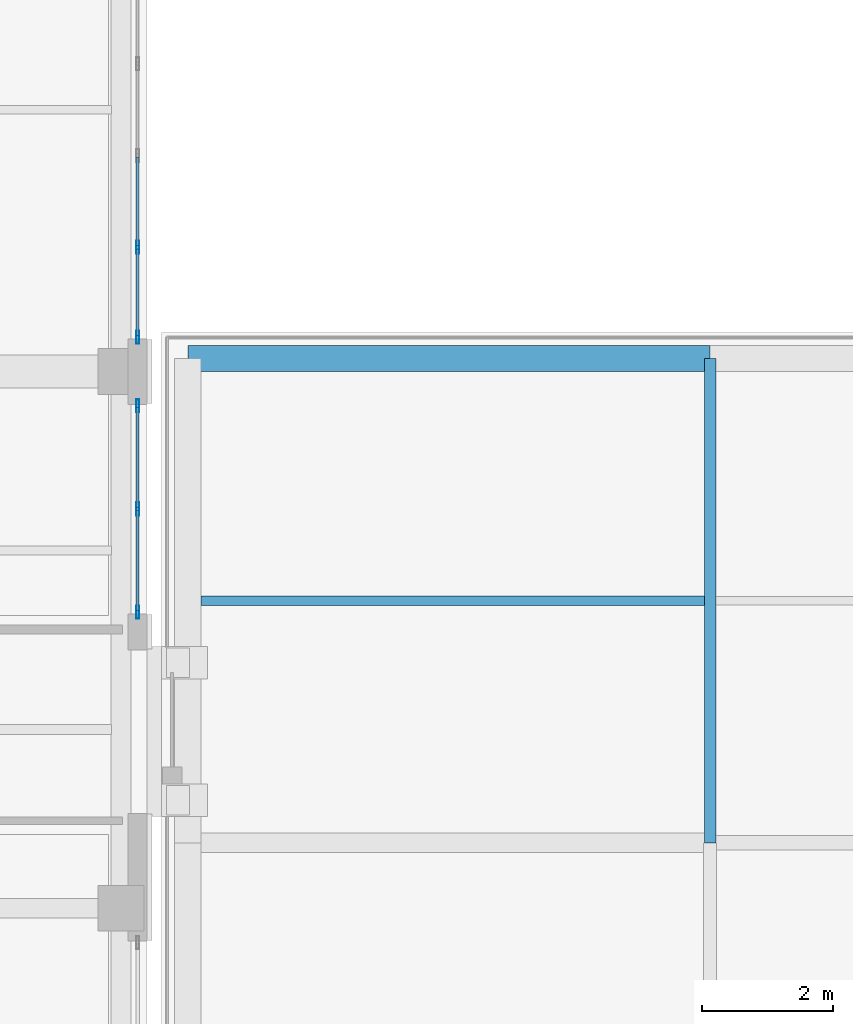
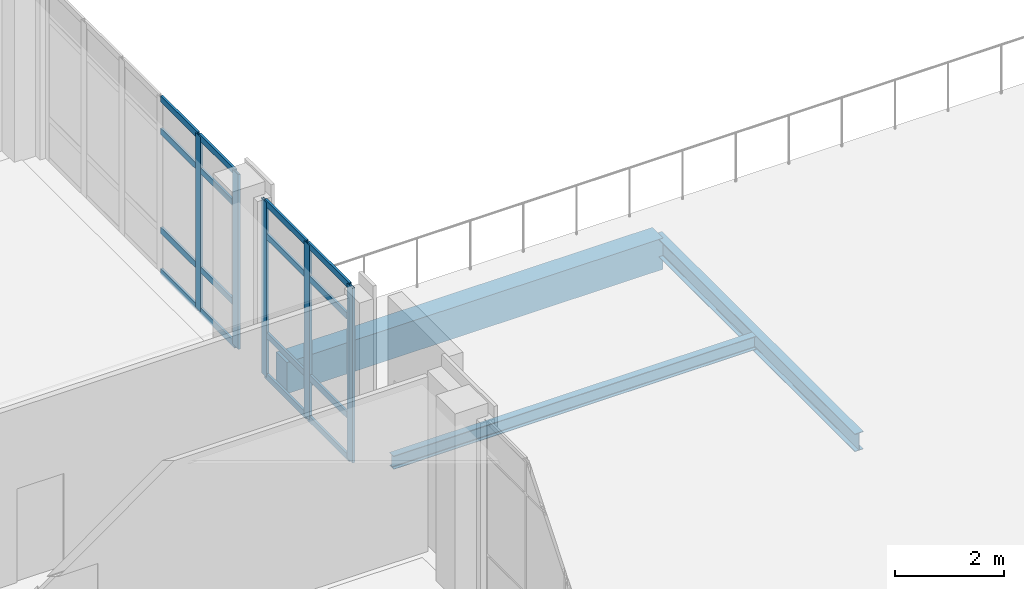
# One storey, part 51 of 165: 21 members, 3 beams, 2 elements without a shape of their own.
"""IFC4 building model written with IfcOpenShell, lengths in metres."""

from ifc_helpers import new_model, si_unit, direction, frame, origin, origin_2d, place, context, subcontext, project, spatial, rectangle, hollow_rectangle, i_section, extrude, material, layer, layer_set, material_profile, profile_set, type_object, element, aggregate, save


model = new_model("IFC4")

# Units and contexts
model_context = context("Model", 3, precision=1e-05, world=origin(), true_north=direction((0.0, 1.0)))
body_context = subcontext(model_context, "Body", "Model", "MODEL_VIEW")
ifc_project = project(units=[si_unit("LENGTHUNIT", "METRE"), si_unit("AREAUNIT", "SQUARE_METRE"), si_unit("VOLUMEUNIT", "CUBIC_METRE"), si_unit("PLANEANGLEUNIT", "RADIAN"), si_unit("MASSUNIT", "GRAM", prefix="KILO")], contexts=[model_context])

# Site, building, storey
site_placement = place(None, origin())
site = spatial("IfcSite", under=ifc_project, at=site_placement, CompositionType="ELEMENT")
building_placement = place(site_placement, origin())
building = spatial("IfcBuilding", under=site, at=building_placement, Name="Qalavern Law Courts", CompositionType="ELEMENT")
storey_placement = place(building_placement, frame((0.0, 0.0, 14.39990234375)))
storey = spatial("IfcBuildingStorey", under=building, at=storey_placement, Name="L03", CompositionType="ELEMENT", Elevation=14.39990234375)

# Curtain wall, members
ifc_material_1 = material(Name="Anodised aluminium and insulated glazing", Category="aluminium")
ifc_layer = layer(ifc_material_1, 0.18505859375)
ifc_layer_set = layer_set([ifc_layer], Name="Anodised aluminium and insulated glazing")
curtain_wall_type = type_object("IfcCurtainWallType", Name="ENV-CW-HALL", PredefinedType="USERDEFINED", material=ifc_layer_set)
curtain_wall_1_placement = place(storey_placement, origin())
curtain_wall_1 = element("IfcCurtainWall", 1, at=curtain_wall_1_placement, inside=storey, type_object=curtain_wall_type, Name="V2 unitised curtain wall L03 east 1", ObjectType="UNITISED CURTAIN WALL", PredefinedType="USERDEFINED")
ifc_material_2 = material(Name="Anodised aluminium", Category="aluminium")
ifc_material_profile_1 = material_profile(ifc_material_2, hollow_rectangle(XDim=0.048095703125, YDim=0.199951171875, WallThickness=0.00439453125, at=origin_2d()), Name="ALU MULLION 48x200")
ifc_profile_set_1 = profile_set([ifc_material_profile_1], Name="Anodised aluminium")
member_type_1 = type_object("IfcMemberType", Name="ENV-CWM-48x200", PredefinedType="MULLION", material=ifc_profile_set_1)
member_1_placement = place(storey_placement, frame((101.052490234375, 18.323974609375, 0.0), z_axis=(0.0, 0.0, 1.0), x_axis=(-1.0, 0.0, 0.0)))
member_1 = element("IfcMember", 2, at=member_1_placement, type_object=member_type_1, Name="CW-02 mullion 1", PredefinedType="MULLION", context=body_context, shape_type="SweptSolid", body=[
    extrude(hollow_rectangle(XDim=0.048095703125, YDim=0.199951171875, WallThickness=0.00439453125, at=origin_2d()), origin(), (0.0, 0.0, 1.0), 3.920166015625),
])
member_2_placement = place(storey_placement, frame((101.052490234375, 19.89990234375, 0.0), z_axis=(0.0, 0.0, 1.0), x_axis=(-1.0, 0.0, 0.0)))
member_2 = element("IfcMember", 3, at=member_2_placement, type_object=member_type_1, Name="CW-02 mullion 2", PredefinedType="MULLION", context=body_context, shape_type="SweptSolid", body=[
    extrude(hollow_rectangle(XDim=0.048095703125, YDim=0.199951171875, WallThickness=0.00439453125, at=origin_2d()), origin(), (0.0, 0.0, 1.0), 3.920166015625),
])
member_3_placement = place(storey_placement, frame((101.052490234375, 21.47607421875, 0.0), z_axis=(0.0, 0.0, 1.0), x_axis=(-1.0, 0.0, 0.0)))
member_3 = element("IfcMember", 4, at=member_3_placement, type_object=member_type_1, Name="CW-02 mullion 3", PredefinedType="MULLION", context=body_context, shape_type="SweptSolid", body=[
    extrude(hollow_rectangle(XDim=0.048095703125, YDim=0.199951171875, WallThickness=0.00439453125, at=origin_2d()), origin(), (0.0, 0.0, 1.0), 3.920166015625),
])

curtain_wall_2_placement = place(storey_placement, origin())
curtain_wall_2 = element("IfcCurtainWall", 5, at=curtain_wall_2_placement, inside=storey, type_object=curtain_wall_type, Name="V2 unitised curtain wall L03 east 2", ObjectType="UNITISED CURTAIN WALL", PredefinedType="USERDEFINED")
member_4_placement = place(storey_placement, frame((101.052490234375, 22.52392578125, 0.0), z_axis=(0.0, 0.0, 1.0), x_axis=(-1.0, 0.0, 0.0)))
member_4 = element("IfcMember", 6, at=member_4_placement, type_object=member_type_1, Name="CW-02 mullion 1", PredefinedType="MULLION", context=body_context, shape_type="SweptSolid", body=[
    extrude(hollow_rectangle(XDim=0.048095703125, YDim=0.199951171875, WallThickness=0.00439453125, at=origin_2d()), origin(), (0.0, 0.0, 1.0), 3.920166015625),
])
member_5_placement = place(storey_placement, frame((101.052490234375, 23.89990234375, 0.0), z_axis=(0.0, 0.0, 1.0), x_axis=(-1.0, 0.0, 0.0)))
member_5 = element("IfcMember", 7, at=member_5_placement, type_object=member_type_1, Name="CW-02 mullion 2", PredefinedType="MULLION", context=body_context, shape_type="SweptSolid", body=[
    extrude(hollow_rectangle(XDim=0.048095703125, YDim=0.199951171875, WallThickness=0.00439453125, at=origin_2d()), origin(), (0.0, 0.0, 1.0), 3.920166015625),
])

# Member
ifc_material_profile_2 = material_profile(ifc_material_2, hollow_rectangle(XDim=0.048095703125, YDim=0.139892578125, WallThickness=0.00390625, at=origin_2d()), Name="ALU TRANSOM 48x140")
ifc_profile_set_2 = profile_set([ifc_material_profile_2], Name="Anodised aluminium")
member_type_2 = type_object("IfcMemberType", Name="ENV-CWT-48x140", PredefinedType="USERDEFINED", material=ifc_profile_set_2)
member_6_placement = place(storey_placement, frame((101.052490234375, 18.347900390625, 0.024169921875), z_axis=(0.0, 1.0, 0.0), x_axis=(-1.0, 0.0, 0.0)))
member_6 = element("IfcMember", 8, at=member_6_placement, type_object=member_type_2, Name="CW-02 transom 1.1", ObjectType="TRANSOM", PredefinedType="USERDEFINED", context=body_context, shape_type="SweptSolid", body=[
    extrude(hollow_rectangle(XDim=0.048095703125, YDim=0.139892578125, WallThickness=0.00390625, at=origin_2d()), origin(), (0.0, 0.0, 1.0), 1.528076171875),
])

member_7_placement = place(storey_placement, frame((101.052490234375, 18.347900390625, 0.9501953125), z_axis=(0.0, 1.0, 0.0), x_axis=(-1.0, 0.0, 0.0)))
member_7 = element("IfcMember", 9, at=member_7_placement, type_object=member_type_2, Name="CW-02 transom 1.2", ObjectType="TRANSOM", PredefinedType="USERDEFINED", context=body_context, shape_type="SweptSolid", body=[
    extrude(hollow_rectangle(XDim=0.048095703125, YDim=0.139892578125, WallThickness=0.00390625, at=origin_2d()), origin(), (0.0, 0.0, 1.0), 1.528076171875),
])

member_8_placement = place(storey_placement, frame((101.052490234375, 18.347900390625, 3.170166015625), z_axis=(0.0, 1.0, 0.0), x_axis=(-1.0, 0.0, 0.0)))
member_8 = element("IfcMember", 10, at=member_8_placement, type_object=member_type_2, Name="CW-02 transom 1.3", ObjectType="TRANSOM", PredefinedType="USERDEFINED", context=body_context, shape_type="SweptSolid", body=[
    extrude(hollow_rectangle(XDim=0.048095703125, YDim=0.139892578125, WallThickness=0.00390625, at=origin_2d()), origin(), (0.0, 0.0, 1.0), 1.528076171875),
])

member_9_placement = place(storey_placement, frame((101.052490234375, 18.347900390625, 3.89599609375), z_axis=(0.0, 1.0, 0.0), x_axis=(-1.0, 0.0, 0.0)))
member_9 = element("IfcMember", 11, at=member_9_placement, type_object=member_type_2, Name="CW-02 transom 1.4", ObjectType="TRANSOM", PredefinedType="USERDEFINED", context=body_context, shape_type="SweptSolid", body=[
    extrude(hollow_rectangle(XDim=0.048095703125, YDim=0.139892578125, WallThickness=0.00390625, at=origin_2d()), origin(), (0.0, 0.0, 1.0), 1.528076171875),
])

member_10_placement = place(storey_placement, frame((101.052490234375, 19.924072265625, 0.024169921875), z_axis=(0.0, 1.0, 0.0), x_axis=(-1.0, 0.0, 0.0)))
member_10 = element("IfcMember", 12, at=member_10_placement, type_object=member_type_2, Name="CW-02 transom 2.1", ObjectType="TRANSOM", PredefinedType="USERDEFINED", context=body_context, shape_type="SweptSolid", body=[
    extrude(hollow_rectangle(XDim=0.048095703125, YDim=0.139892578125, WallThickness=0.00390625, at=origin_2d()), origin(), (0.0, 0.0, 1.0), 1.52783203125),
])

member_11_placement = place(storey_placement, frame((101.052490234375, 19.924072265625, 0.9501953125), z_axis=(0.0, 1.0, 0.0), x_axis=(-1.0, 0.0, 0.0)))
member_11 = element("IfcMember", 13, at=member_11_placement, type_object=member_type_2, Name="CW-02 transom 2.2", ObjectType="TRANSOM", PredefinedType="USERDEFINED", context=body_context, shape_type="SweptSolid", body=[
    extrude(hollow_rectangle(XDim=0.048095703125, YDim=0.139892578125, WallThickness=0.00390625, at=origin_2d()), origin(), (0.0, 0.0, 1.0), 1.52783203125),
])

member_12_placement = place(storey_placement, frame((101.052490234375, 19.924072265625, 3.170166015625), z_axis=(0.0, 1.0, 0.0), x_axis=(-1.0, 0.0, 0.0)))
member_12 = element("IfcMember", 14, at=member_12_placement, type_object=member_type_2, Name="CW-02 transom 2.3", ObjectType="TRANSOM", PredefinedType="USERDEFINED", context=body_context, shape_type="SweptSolid", body=[
    extrude(hollow_rectangle(XDim=0.048095703125, YDim=0.139892578125, WallThickness=0.00390625, at=origin_2d()), origin(), (0.0, 0.0, 1.0), 1.52783203125),
])

member_13_placement = place(storey_placement, frame((101.052490234375, 19.924072265625, 3.89599609375), z_axis=(0.0, 1.0, 0.0), x_axis=(-1.0, 0.0, 0.0)))
member_13 = element("IfcMember", 15, at=member_13_placement, type_object=member_type_2, Name="CW-02 transom 2.4", ObjectType="TRANSOM", PredefinedType="USERDEFINED", context=body_context, shape_type="SweptSolid", body=[
    extrude(hollow_rectangle(XDim=0.048095703125, YDim=0.139892578125, WallThickness=0.00390625, at=origin_2d()), origin(), (0.0, 0.0, 1.0), 1.52783203125),
])

aggregate(curtain_wall_1, [member_1, member_2, member_3, member_6, member_7, member_8, member_9, member_10, member_11, member_12, member_13])

member_14_placement = place(storey_placement, frame((101.052490234375, 22.548095703125, 0.024169921875), z_axis=(0.0, 1.0, 0.0), x_axis=(-1.0, 0.0, 0.0)))
member_14 = element("IfcMember", 16, at=member_14_placement, type_object=member_type_2, Name="CW-02 transom 1.1", ObjectType="TRANSOM", PredefinedType="USERDEFINED", context=body_context, shape_type="SweptSolid", body=[
    extrude(hollow_rectangle(XDim=0.048095703125, YDim=0.139892578125, WallThickness=0.00390625, at=origin_2d()), origin(), (0.0, 0.0, 1.0), 1.327880859375),
])

member_15_placement = place(storey_placement, frame((101.052490234375, 22.548095703125, 0.9501953125), z_axis=(0.0, 1.0, 0.0), x_axis=(-1.0, 0.0, 0.0)))
member_15 = element("IfcMember", 17, at=member_15_placement, type_object=member_type_2, Name="CW-02 transom 1.2", ObjectType="TRANSOM", PredefinedType="USERDEFINED", context=body_context, shape_type="SweptSolid", body=[
    extrude(hollow_rectangle(XDim=0.048095703125, YDim=0.139892578125, WallThickness=0.00390625, at=origin_2d()), origin(), (0.0, 0.0, 1.0), 1.327880859375),
])

member_16_placement = place(storey_placement, frame((101.052490234375, 22.548095703125, 3.170166015625), z_axis=(0.0, 1.0, 0.0), x_axis=(-1.0, 0.0, 0.0)))
member_16 = element("IfcMember", 18, at=member_16_placement, type_object=member_type_2, Name="CW-02 transom 1.3", ObjectType="TRANSOM", PredefinedType="USERDEFINED", context=body_context, shape_type="SweptSolid", body=[
    extrude(hollow_rectangle(XDim=0.048095703125, YDim=0.139892578125, WallThickness=0.00390625, at=origin_2d()), origin(), (0.0, 0.0, 1.0), 1.327880859375),
])

member_17_placement = place(storey_placement, frame((101.052490234375, 22.548095703125, 3.89599609375), z_axis=(0.0, 1.0, 0.0), x_axis=(-1.0, 0.0, 0.0)))
member_17 = element("IfcMember", 19, at=member_17_placement, type_object=member_type_2, Name="CW-02 transom 1.4", ObjectType="TRANSOM", PredefinedType="USERDEFINED", context=body_context, shape_type="SweptSolid", body=[
    extrude(hollow_rectangle(XDim=0.048095703125, YDim=0.139892578125, WallThickness=0.00390625, at=origin_2d()), origin(), (0.0, 0.0, 1.0), 1.327880859375),
])

member_18_placement = place(storey_placement, frame((101.052490234375, 23.924072265625, 0.024169921875), z_axis=(0.0, 1.0, 0.0), x_axis=(-1.0, 0.0, 0.0)))
member_18 = element("IfcMember", 20, at=member_18_placement, type_object=member_type_2, Name="CW-02 transom 2.1", ObjectType="TRANSOM", PredefinedType="USERDEFINED", context=body_context, shape_type="SweptSolid", body=[
    extrude(hollow_rectangle(XDim=0.048095703125, YDim=0.139892578125, WallThickness=0.00390625, at=origin_2d()), origin(), (0.0, 0.0, 1.0), 1.351806640625),
])

member_19_placement = place(storey_placement, frame((101.052490234375, 23.924072265625, 0.9501953125), z_axis=(0.0, 1.0, 0.0), x_axis=(-1.0, 0.0, 0.0)))
member_19 = element("IfcMember", 21, at=member_19_placement, type_object=member_type_2, Name="CW-02 transom 2.2", ObjectType="TRANSOM", PredefinedType="USERDEFINED", context=body_context, shape_type="SweptSolid", body=[
    extrude(hollow_rectangle(XDim=0.048095703125, YDim=0.139892578125, WallThickness=0.00390625, at=origin_2d()), origin(), (0.0, 0.0, 1.0), 1.351806640625),
])

member_20_placement = place(storey_placement, frame((101.052490234375, 23.924072265625, 3.170166015625), z_axis=(0.0, 1.0, 0.0), x_axis=(-1.0, 0.0, 0.0)))
member_20 = element("IfcMember", 22, at=member_20_placement, type_object=member_type_2, Name="CW-02 transom 2.3", ObjectType="TRANSOM", PredefinedType="USERDEFINED", context=body_context, shape_type="SweptSolid", body=[
    extrude(hollow_rectangle(XDim=0.048095703125, YDim=0.139892578125, WallThickness=0.00390625, at=origin_2d()), origin(), (0.0, 0.0, 1.0), 1.351806640625),
])

member_21_placement = place(storey_placement, frame((101.052490234375, 23.924072265625, 3.89599609375), z_axis=(0.0, 1.0, 0.0), x_axis=(-1.0, 0.0, 0.0)))
member_21 = element("IfcMember", 23, at=member_21_placement, type_object=member_type_2, Name="CW-02 transom 2.4", ObjectType="TRANSOM", PredefinedType="USERDEFINED", context=body_context, shape_type="SweptSolid", body=[
    extrude(hollow_rectangle(XDim=0.048095703125, YDim=0.139892578125, WallThickness=0.00390625, at=origin_2d()), origin(), (0.0, 0.0, 1.0), 1.351806640625),
])

aggregate(curtain_wall_2, [member_4, member_5, member_14, member_15, member_16, member_17, member_18, member_19, member_20, member_21])

# Beams
ifc_material_3 = material(Name="Steel S355", Category="steel")
ifc_material_profile_3 = material_profile(ifc_material_3, i_section(OverallWidth=0.179931640625, OverallDepth=0.39990234375, WebThickness=0.008544921875, FlangeThickness=0.013427734375, FilletRadius=0.02099609375, at=origin_2d()), Name="IPE 400")
ifc_profile_set_3 = profile_set([ifc_material_profile_3], Name="Steel S355")
beam_type_1 = type_object("IfcBeamType", Name="STR-BM-IPE400", PredefinedType="BEAM", material=ifc_profile_set_3)
beam_1_placement = place(storey_placement, frame((109.800048828125, 14.800048828125, -0.511962890625), z_axis=(0.0, 1.0, 0.0), x_axis=(-1.0, 0.0, 0.0)))
element("IfcBeam", 24, at=beam_1_placement, inside=storey, type_object=beam_type_1, Name="V6 Y-beam 2-3 L03", PredefinedType="BEAM", context=body_context, shape_type="SweptSolid", body=[
    extrude(i_section(OverallWidth=0.179931640625, OverallDepth=0.39990234375, WebThickness=0.008544921875, FlangeThickness=0.013427734375, FilletRadius=0.02099609375, at=origin_2d()), origin(), (0.0, 0.0, 1.0), 7.39990234375),
])
ifc_material_profile_4 = material_profile(ifc_material_3, i_section(OverallWidth=0.14990234375, OverallDepth=0.300048828125, WebThickness=0.007080078125, FlangeThickness=0.0107421875, FilletRadius=0.014892578125, at=origin_2d()), Name="IPE 300")
ifc_profile_set_4 = profile_set([ifc_material_profile_4], Name="Steel S355")
beam_type_2 = type_object("IfcBeamType", Name="STR-JST-IPE300", PredefinedType="JOIST", material=ifc_profile_set_4)
beam_2_placement = place(storey_placement, frame((102.01806640625, 18.5, -0.4619140625), z_axis=(1.0, 0.0, 0.0), x_axis=(0.0, 1.0, 0.0)))
element("IfcBeam", 25, at=beam_2_placement, inside=storey, type_object=beam_type_2, Name="V6 secondary joist 1.3.1 L03", PredefinedType="JOIST", context=body_context, shape_type="SweptSolid", body=[
    extrude(i_section(OverallWidth=0.14990234375, OverallDepth=0.300048828125, WebThickness=0.007080078125, FlangeThickness=0.0107421875, FilletRadius=0.014892578125, at=origin_2d()), origin(), (0.0, 0.0, 1.0), 7.69384765625),
])
ifc_material_4 = material(Name="Concrete C40/50", Category="concrete")
ifc_material_profile_5 = material_profile(ifc_material_4, rectangle(XDim=0.39990234375, YDim=0.699951171875, at=origin_2d()), Name="RC 400x700")
ifc_profile_set_5 = profile_set([ifc_material_profile_5], Name="Concrete C40/50")
beam_type_3 = type_object("IfcBeamType", Name="STR-SP-RC400x700", PredefinedType="SPANDREL", material=ifc_profile_set_5)
beam_3_placement = place(storey_placement, frame((101.820068359375, 22.199951171875, -0.661865234375), z_axis=(1.0, 0.0, 0.0), x_axis=(0.0, 1.0, 0.0)))
element("IfcBeam", 26, at=beam_3_placement, inside=storey, type_object=beam_type_3, Name="V6 X-beam 4-1 L03", PredefinedType="SPANDREL", context=body_context, shape_type="SweptSolid", body=[
    extrude(rectangle(XDim=0.39990234375, YDim=0.699951171875, at=origin_2d()), origin(), (0.0, 0.0, 1.0), 7.97998046875),
])

save(model, "model.ifc")
